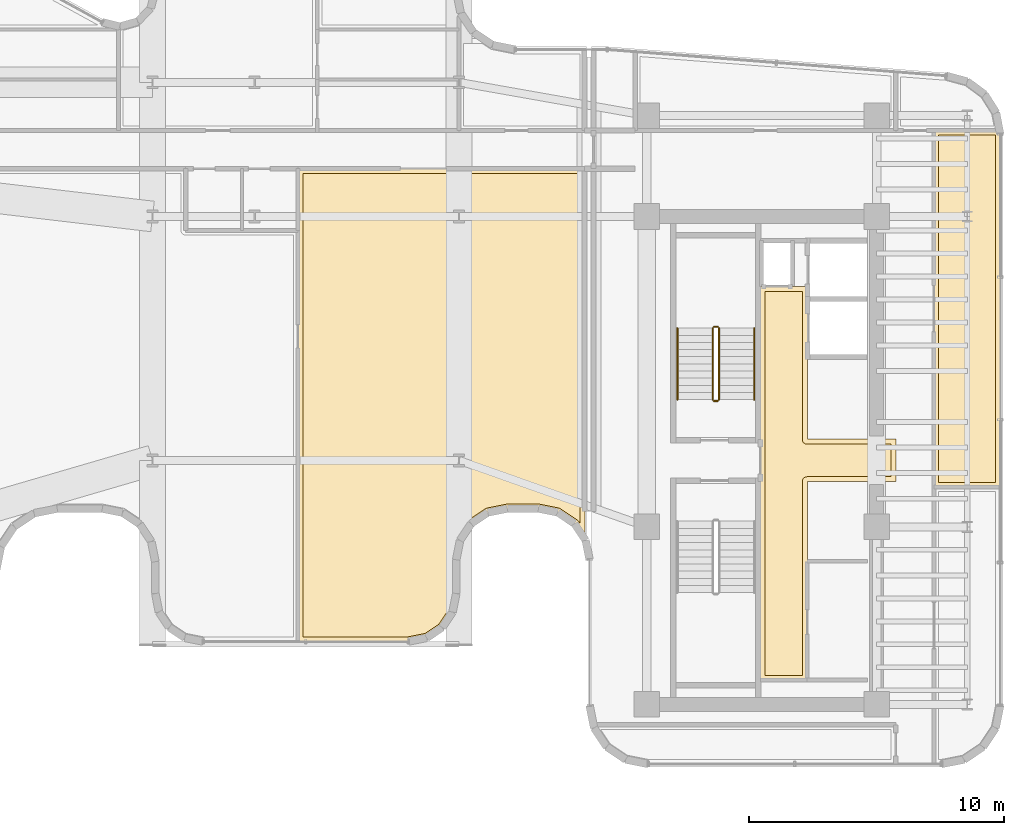
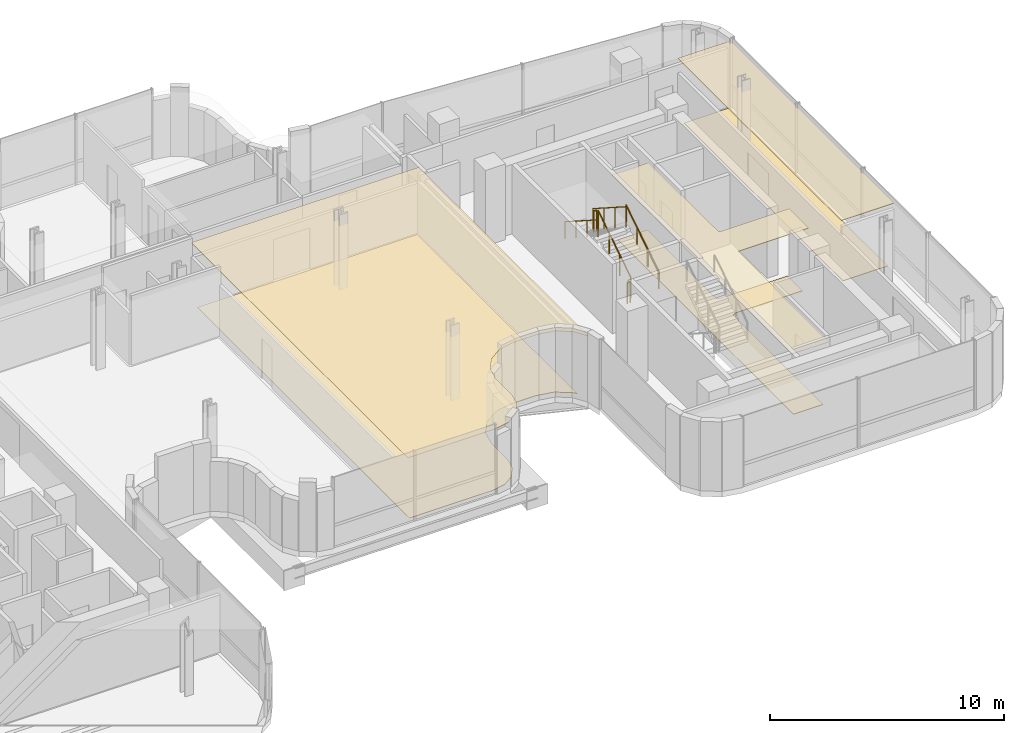
# One storey, part 36 of 38: 6 coverings, 6 railings.
"""IFC4 building model written with IfcOpenShell, lengths in metres."""

from ifc_helpers import new_model, si_unit, direction, frame, origin, origin_2d, place, context, subcontext, project, spatial, polyline, circle, outline, extrude, material, layer, layer_set, type_object, element, save


model = new_model("IFC4")

# Units and contexts
model_context = context("Model", 3, precision=1e-05, world=origin(), true_north=direction((0.0, 1.0)))
body_context = subcontext(model_context, "Body", "Model", "MODEL_VIEW")
ifc_project = project(units=[si_unit("LENGTHUNIT", "METRE"), si_unit("AREAUNIT", "SQUARE_METRE"), si_unit("VOLUMEUNIT", "CUBIC_METRE"), si_unit("PLANEANGLEUNIT", "RADIAN"), si_unit("MASSUNIT", "GRAM", prefix="KILO")], contexts=[model_context])

# Site, building, storey
site_placement = place(None, origin())
site = spatial("IfcSite", under=ifc_project, at=site_placement, CompositionType="ELEMENT")
building_placement = place(site_placement, origin())
building = spatial("IfcBuilding", under=site, at=building_placement, Name="Valdorenza Pilgrim Sanctuary Tower", CompositionType="ELEMENT")
storey_placement = place(building_placement, frame((0.0, 0.0, 180.5)))
storey = spatial("IfcBuildingStorey", under=building, at=storey_placement, Name="L46", CompositionType="ELEMENT", Elevation=180.5)

# Coverings
ifc_material_1 = material(Name="Micro-perforated acoustic mineral ceiling tile", Category="gypsum")
ifc_layer_1 = layer(ifc_material_1, 0.02490234375, Name="Micro-perforated acoustic mineral ceiling tile")
ifc_layer_set_1 = layer_set([ifc_layer_1], Name="Micro-perforated acoustic mineral ceiling tile")
covering_type_1 = type_object("IfcCoveringType", Name="COV-CLG-ACU", PredefinedType="CEILING", material=ifc_layer_set_1)
covering_1_placement = place(storey_placement, frame((0.0, 0.0, 3.330078125)))
element("IfcCovering", 1, at=covering_1_placement, inside=storey, type_object=covering_type_1, Name="L46 Core B Passenger Lift Lobby Acoustic Ceiling", PredefinedType="CEILING", context=body_context, shape_type="SweptSolid", body=[
    extrude(outline(polyline([(20.287109375, -0.814697265625), (20.287109375, 0.814697265625), (20.28662109375, 0.815185546875), (20.2861328125, 0.81640625), (20.28564453125, 0.81787109375), (20.285400390625, 0.819091796875), (20.28515625, 0.820556640625), (20.284912109375, 0.822021484375), (20.284912109375, 6.800048828125), (20.28515625, 6.801513671875), (20.285400390625, 6.802978515625), (20.28564453125, 6.804443359375), (20.2861328125, 6.8056640625), (20.286865234375, 6.80712890625), (20.28759765625, 6.808349609375), (20.288330078125, 6.8095703125), (20.289306640625, 6.810546875), (20.29052734375, 6.8115234375), (20.291748046875, 6.8125), (20.29296875, 6.813232421875), (20.294189453125, 6.81396484375), (20.295654296875, 6.814453125), (20.297119140625, 6.814697265625), (20.298583984375, 6.81494140625), (20.300048828125, 6.81494140625), (20.347900390625, 6.81494140625), (20.349365234375, 6.81494140625), (20.350830078125, 6.814697265625), (20.352294921875, 6.814453125), (20.353515625, 6.81396484375), (20.35498046875, 6.813232421875), (20.35546875, 6.81298828125), (21.544677734375, 6.81298828125), (21.545166015625, 6.813232421875), (21.54638671875, 6.81396484375), (21.5478515625, 6.814453125), (21.54931640625, 6.814697265625), (21.550537109375, 6.81494140625), (21.552001953125, 6.81494140625), (22.1201171875, 6.81494140625), (22.12158203125, 6.81494140625), (22.122802734375, 6.814697265625), (22.12451171875, 6.814453125), (22.125732421875, 6.81396484375), (22.127197265625, 6.813232421875), (22.12841796875, 6.8125), (22.12939453125, 6.8115234375), (22.130615234375, 6.810546875), (22.131591796875, 6.8095703125), (22.132568359375, 6.808349609375), (22.13330078125, 6.80712890625), (22.1337890625, 6.8056640625), (22.134521484375, 6.804443359375), (22.134765625, 6.802978515625), (22.135009765625, 6.801513671875), (22.135009765625, 6.800048828125), (22.135009765625, 0.8349609375), (25.60009765625, 0.8349609375), (25.6015625, 0.8349609375), (25.602783203125, 0.834716796875), (25.6044921875, 0.83447265625), (25.605712890625, 0.833984375), (25.607177734375, 0.833251953125), (25.6083984375, 0.83251953125), (25.609619140625, 0.83154296875), (25.610595703125, 0.83056640625), (25.611572265625, 0.82958984375), (25.612548828125, 0.828369140625), (25.61328125, 0.8271484375), (25.614013671875, 0.82568359375), (25.614501953125, 0.824462890625), (25.61474609375, 0.822998046875), (25.614990234375, 0.821533203125), (25.614990234375, 0.820068359375), (25.614990234375, -0.820068359375), (25.614990234375, -0.821533203125), (25.61474609375, -0.822998046875), (25.614501953125, -0.824462890625), (25.614013671875, -0.82568359375), (25.61328125, -0.8271484375), (25.612548828125, -0.828369140625), (25.611572265625, -0.82958984375), (25.610595703125, -0.83056640625), (25.609619140625, -0.83154296875), (25.6083984375, -0.83251953125), (25.607177734375, -0.833251953125), (25.605712890625, -0.833984375), (25.6044921875, -0.83447265625), (25.602783203125, -0.834716796875), (25.6015625, -0.8349609375), (25.60009765625, -0.8349609375), (22.135009765625, -0.8349609375), (22.135009765625, -8.60009765625), (22.135009765625, -8.6015625), (22.134765625, -8.602783203125), (22.134521484375, -8.6044921875), (22.1337890625, -8.605712890625), (22.13330078125, -8.607177734375), (22.132568359375, -8.6083984375), (22.131591796875, -8.609619140625), (22.130615234375, -8.610595703125), (22.12939453125, -8.611572265625), (22.12841796875, -8.612548828125), (22.127197265625, -8.61328125), (22.125732421875, -8.614013671875), (22.12451171875, -8.614501953125), (22.122802734375, -8.61474609375), (22.12158203125, -8.614990234375), (22.1201171875, -8.614990234375), (20.300048828125, -8.614990234375), (20.298583984375, -8.614990234375), (20.297119140625, -8.61474609375), (20.295654296875, -8.614501953125), (20.294189453125, -8.614013671875), (20.29296875, -8.61328125), (20.291748046875, -8.612548828125), (20.29052734375, -8.611572265625), (20.289306640625, -8.610595703125), (20.288330078125, -8.609619140625), (20.28759765625, -8.6083984375), (20.286865234375, -8.607177734375), (20.2861328125, -8.605712890625), (20.28564453125, -8.6044921875), (20.285400390625, -8.602783203125), (20.28515625, -8.6015625), (20.284912109375, -8.60009765625), (20.284912109375, -0.822021484375), (20.28515625, -0.820556640625), (20.285400390625, -0.819091796875), (20.28564453125, -0.81787109375), (20.2861328125, -0.81640625), (20.28662109375, -0.815185546875), (20.287109375, -0.814697265625)])), origin(), (0.0, 0.0, 1.0), 0.02490234375),
])
covering_2_placement = place(storey_placement, frame((0.0, 0.0, 3.330078125)))
element("IfcCovering", 2, at=covering_2_placement, inside=storey, type_object=covering_type_1, Name="L46 Sacred Archive Reading Library Acoustic Ceiling", PredefinedType="CEILING", context=body_context, shape_type="SweptSolid", body=[
    extrude(outline(polyline([(2.18701171875, 8.996337890625), (2.18701171875, 8.996826171875), (2.186767578125, 8.99853515625), (2.186767578125, 9.0), (2.18701171875, 9.00146484375), (2.18701171875, 9.001708984375), (2.18701171875, 11.419921875), (2.18701171875, 11.42138671875), (2.187255859375, 11.4228515625), (2.1875, 11.42431640625), (2.18798828125, 11.42578125), (2.188720703125, 11.427001953125), (2.189453125, 11.42822265625), (2.1904296875, 11.429443359375), (2.19140625, 11.4306640625), (2.1923828125, 11.431640625), (2.193603515625, 11.4326171875), (2.19482421875, 11.43310546875), (2.1962890625, 11.433837890625), (2.197509765625, 11.434326171875), (2.19921875, 11.434814453125), (2.200439453125, 11.434814453125), (2.201904296875, 11.43505859375), (13.419921875, 11.43505859375), (13.42138671875, 11.434814453125), (13.4228515625, 11.434814453125), (13.42431640625, 11.434326171875), (13.42578125, 11.433837890625), (13.427001953125, 11.43310546875), (13.42822265625, 11.4326171875), (13.429443359375, 11.431640625), (13.4306640625, 11.4306640625), (13.431640625, 11.429443359375), (13.4326171875, 11.42822265625), (13.43310546875, 11.427001953125), (13.433837890625, 11.42578125), (13.434326171875, 11.42431640625), (13.434814453125, 11.4228515625), (13.434814453125, 11.42138671875), (13.43505859375, 11.419921875), (13.43505859375, -3.071533203125), (13.434814453125, -3.072998046875), (13.434814453125, -3.074462890625), (13.434326171875, -3.075927734375), (13.433837890625, -3.077392578125), (13.43310546875, -3.07861328125), (13.4326171875, -3.079833984375), (13.431640625, -3.0810546875), (13.4306640625, -3.082275390625), (13.429443359375, -3.083251953125), (13.42822265625, -3.083984375), (13.427001953125, -3.084716796875), (13.42578125, -3.08544921875), (13.42431640625, -3.0859375), (13.4228515625, -3.086181640625), (13.42138671875, -3.08642578125), (13.419921875, -3.086669921875), (13.41845703125, -3.08642578125), (13.4169921875, -3.086181640625), (13.41552734375, -3.0859375), (13.414306640625, -3.08544921875), (13.412841796875, -3.084716796875), (13.41162109375, -3.083984375), (13.410400390625, -3.083251953125), (13.409423828125, -3.082275390625), (13.408447265625, -3.0810546875), (13.407470703125, -3.079833984375), (13.022705078125, -2.50390625), (13.016845703125, -2.49609375), (13.0107421875, -2.4892578125), (13.00390625, -2.483154296875), (12.99609375, -2.477294921875), (12.380126953125, -2.06591796875), (12.371826171875, -2.060791015625), (12.36328125, -2.056884765625), (12.354736328125, -2.0537109375), (12.34521484375, -2.051513671875), (11.618896484375, -1.906982421875), (11.609375, -1.905517578125), (11.599609375, -1.905029296875), (10.400390625, -1.905029296875), (10.390625, -1.905517578125), (10.381103515625, -1.906982421875), (9.65478515625, -2.051513671875), (9.645263671875, -2.0537109375), (9.63671875, -2.056884765625), (9.628173828125, -2.060791015625), (9.619873046875, -2.06591796875), (9.00390625, -2.477294921875), (8.99609375, -2.483154296875), (8.9892578125, -2.4892578125), (8.983154296875, -2.49609375), (8.977294921875, -2.50390625), (8.56591796875, -3.119873046875), (8.560791015625, -3.128173828125), (8.556884765625, -3.13671875), (8.5537109375, -3.145263671875), (8.551513671875, -3.15478515625), (8.406982421875, -3.881103515625), (8.405517578125, -3.890625), (8.405029296875, -3.900390625), (8.405029296875, -5.213134765625), (8.40478515625, -5.214599609375), (8.40478515625, -5.216064453125), (8.2607421875, -5.940185546875), (8.26025390625, -5.941650390625), (8.259765625, -5.943115234375), (8.25927734375, -5.9443359375), (8.258544921875, -5.945556640625), (7.8544921875, -6.55029296875), (7.853515625, -6.551513671875), (7.8525390625, -6.552490234375), (7.851318359375, -6.553466796875), (7.85009765625, -6.554443359375), (7.24560546875, -6.95849609375), (7.244384765625, -6.959228515625), (7.242919921875, -6.959716796875), (7.24169921875, -6.960205078125), (7.240234375, -6.960693359375), (6.51611328125, -7.104736328125), (6.5146484375, -7.10498046875), (6.51318359375, -7.10498046875), (2.201904296875, -7.10498046875), (2.200439453125, -7.10498046875), (2.19921875, -7.104736328125), (2.197509765625, -7.1044921875), (2.1962890625, -7.10400390625), (2.19482421875, -7.103271484375), (2.193603515625, -7.1025390625), (2.1923828125, -7.1015625), (2.19140625, -7.1005859375), (2.1904296875, -7.099609375), (2.189453125, -7.098388671875), (2.188720703125, -7.09716796875), (2.18798828125, -7.095703125), (2.1875, -7.094482421875), (2.187255859375, -7.093017578125), (2.18701171875, -7.091552734375), (2.18701171875, -7.090087890625), (2.18701171875, 8.996337890625)])), origin(), (0.0, 0.0, 1.0), 0.02490234375),
])
covering_3_placement = place(storey_placement, frame((0.0, 0.0, 3.330078125)))
element("IfcCovering", 3, at=covering_3_placement, inside=storey, type_object=covering_type_1, Name="L46 East Reading Lounge L46-EB2 Acoustic Ceiling", PredefinedType="CEILING", context=body_context, shape_type="SweptSolid", body=[
    extrude(outline(polyline([(27.0849609375, 12.91796875), (27.085205078125, 12.91943359375), (27.085205078125, 12.9208984375), (27.085693359375, 12.92236328125), (27.086181640625, 12.923583984375), (27.0869140625, 12.925048828125), (27.08740234375, 12.92626953125), (27.08837890625, 12.927490234375), (27.08935546875, 12.9287109375), (27.090576171875, 12.9296875), (27.091796875, 12.930419921875), (27.093017578125, 12.93115234375), (27.09423828125, 12.931884765625), (27.095703125, 12.932373046875), (27.09716796875, 12.9326171875), (27.098388671875, 12.932861328125), (27.10009765625, 12.93310546875), (29.660888671875, 12.93310546875), (29.660888671875, 12.93310546875), (29.662353515625, 12.93310546875), (29.663818359375, 12.932861328125), (29.665283203125, 12.9326171875), (29.66650390625, 12.93212890625), (29.66796875, 12.931640625), (29.669189453125, 12.930908203125), (29.67041015625, 12.930419921875), (29.67138671875, 12.929443359375), (29.672607421875, 12.928466796875), (29.673583984375, 12.92724609375), (29.67431640625, 12.926025390625), (29.675048828125, 12.9248046875), (29.67578125, 12.923583984375), (29.676025390625, 12.922119140625), (29.676513671875, 12.9208984375), (29.70458984375, 12.77099609375), (29.704833984375, 12.769775390625), (29.705078125, 12.768310546875), (29.705078125, -1.0380859375), (29.704833984375, -1.03955078125), (29.70458984375, -1.041015625), (29.704345703125, -1.04248046875), (29.703857421875, -1.043701171875), (29.703125, -1.045166015625), (29.702392578125, -1.04638671875), (29.70166015625, -1.047607421875), (29.70068359375, -1.048583984375), (29.699462890625, -1.049560546875), (29.6982421875, -1.050537109375), (29.697021484375, -1.05126953125), (29.69580078125, -1.052001953125), (29.6943359375, -1.052490234375), (29.69287109375, -1.052734375), (29.69140625, -1.052978515625), (29.68994140625, -1.052978515625), (27.10009765625, -1.052978515625), (27.098388671875, -1.052978515625), (27.09716796875, -1.052734375), (27.095703125, -1.052490234375), (27.09423828125, -1.052001953125), (27.093017578125, -1.05126953125), (27.091796875, -1.050537109375), (27.090576171875, -1.049560546875), (27.08935546875, -1.048583984375), (27.08837890625, -1.047607421875), (27.08740234375, -1.04638671875), (27.0869140625, -1.045166015625), (27.086181640625, -1.043701171875), (27.085693359375, -1.04248046875), (27.085205078125, -1.041015625), (27.085205078125, -1.03955078125), (27.0849609375, -1.0380859375), (27.0849609375, 12.91796875)])), origin(), (0.0, 0.0, 1.0), 0.02490234375),
])
ifc_material_2 = material(Name="Honed travertine stone flooring", Category="masonry")
ifc_layer_2 = layer(ifc_material_2, 0.030029296875, Name="Honed travertine stone flooring")
ifc_layer_set_2 = layer_set([ifc_layer_2], Name="Honed travertine stone flooring")
covering_type_2 = type_object("IfcCoveringType", Name="COV-FLR-TRV", PredefinedType="FLOORING", material=ifc_layer_set_2)
covering_4_placement = place(storey_placement, origin())
element("IfcCovering", 4, at=covering_4_placement, inside=storey, type_object=covering_type_2, Name="L46 Core B Passenger Lift Lobby Flooring", PredefinedType="FLOORING", context=body_context, shape_type="SweptSolid", body=[
    extrude(outline(polyline([(20.47998046875, 6.617919921875), (21.550048828125, 6.617919921875), (21.550537109375, 6.617919921875), (21.93994140625, 6.619384765625), (21.93994140625, 0.820068359375), (21.94091796875, 0.802490234375), (21.943603515625, 0.784912109375), (21.94775390625, 0.767578125), (21.95361328125, 0.751220703125), (21.961181640625, 0.735107421875), (21.97021484375, 0.719970703125), (21.98095703125, 0.705810546875), (21.99267578125, 0.692626953125), (22.005859375, 0.680908203125), (22.02001953125, 0.67041015625), (22.03515625, 0.661376953125), (22.051025390625, 0.65380859375), (22.067626953125, 0.647705078125), (22.0849609375, 0.6435546875), (22.102294921875, 0.640869140625), (22.1201171875, 0.639892578125), (25.419921875, 0.639892578125), (25.419921875, -0.639892578125), (22.1201171875, -0.639892578125), (22.102294921875, -0.640869140625), (22.0849609375, -0.6435546875), (22.067626953125, -0.647705078125), (22.051025390625, -0.65380859375), (22.03515625, -0.661376953125), (22.02001953125, -0.67041015625), (22.005859375, -0.680908203125), (21.99267578125, -0.692626953125), (21.98095703125, -0.705810546875), (21.97021484375, -0.719970703125), (21.961181640625, -0.735107421875), (21.95361328125, -0.751220703125), (21.94775390625, -0.767578125), (21.943603515625, -0.784912109375), (21.94091796875, -0.802490234375), (21.93994140625, -0.820068359375), (21.93994140625, -8.419921875), (20.47998046875, -8.419921875), (20.47998046875, -0.846923828125), (20.47998046875, -0.8466796875), (20.47998046875, -0.8466796875), (20.481689453125, -0.8291015625), (20.481689453125, -0.828857421875), (20.48193359375, -0.820068359375), (20.48193359375, 0.820068359375), (20.47998046875, 6.617919921875)])), origin(), (0.0, 0.0, 1.0), 0.02490234375),
])
covering_5_placement = place(storey_placement, origin())
element("IfcCovering", 5, at=covering_5_placement, inside=storey, type_object=covering_type_2, Name="L46 Sacred Archive Reading Library Flooring", PredefinedType="FLOORING", context=body_context, shape_type="SweptSolid", body=[
    extrude(outline(polyline([(2.382080078125, 8.999755859375), (2.382080078125, 9.0), (2.382080078125, 11.239990234375), (13.239990234375, 11.239990234375), (13.239990234375, -2.478271484375), (13.1845703125, -2.3955078125), (13.179443359375, -2.38818359375), (13.173095703125, -2.37939453125), (13.161865234375, -2.36572265625), (13.15478515625, -2.35791015625), (13.14208984375, -2.34521484375), (13.13427734375, -2.338134765625), (13.12060546875, -2.326904296875), (13.11181640625, -2.320556640625), (13.1044921875, -2.3154296875), (12.48828125, -1.903564453125), (12.480712890625, -1.898681640625), (12.471435546875, -1.893310546875), (12.455810546875, -1.885009765625), (12.4462890625, -1.88037109375), (12.4296875, -1.87353515625), (12.419677734375, -1.869873046875), (12.40283203125, -1.86474609375), (12.392333984375, -1.862060546875), (12.3837890625, -1.860107421875), (11.656494140625, -1.715576171875), (11.64794921875, -1.714111328125), (11.63720703125, -1.71240234375), (11.61962890625, -1.710693359375), (11.60888671875, -1.710205078125), (11.60009765625, -1.7099609375), (10.39990234375, -1.7099609375), (10.39111328125, -1.710205078125), (10.38037109375, -1.710693359375), (10.36279296875, -1.71240234375), (10.35205078125, -1.714111328125), (10.343505859375, -1.715576171875), (9.6162109375, -1.860107421875), (9.607666015625, -1.862060546875), (9.59716796875, -1.86474609375), (9.580322265625, -1.869873046875), (9.5703125, -1.87353515625), (9.5537109375, -1.88037109375), (9.544189453125, -1.885009765625), (9.528564453125, -1.893310546875), (9.519287109375, -1.898681640625), (9.51171875, -1.903564453125), (8.8955078125, -2.3154296875), (8.88818359375, -2.320556640625), (8.87939453125, -2.326904296875), (8.86572265625, -2.338134765625), (8.85791015625, -2.34521484375), (8.84521484375, -2.35791015625), (8.838134765625, -2.36572265625), (8.826904296875, -2.37939453125), (8.820556640625, -2.38818359375), (8.8154296875, -2.3955078125), (8.403564453125, -3.01171875), (8.398681640625, -3.019287109375), (8.393310546875, -3.028564453125), (8.385009765625, -3.044189453125), (8.38037109375, -3.0537109375), (8.37353515625, -3.0703125), (8.369873046875, -3.080322265625), (8.36474609375, -3.09716796875), (8.362060546875, -3.107666015625), (8.360107421875, -3.1162109375), (8.215576171875, -3.843505859375), (8.214111328125, -3.85205078125), (8.21240234375, -3.86279296875), (8.210693359375, -3.88037109375), (8.210205078125, -3.89111328125), (8.2099609375, -3.89990234375), (8.2099609375, -5.1953125), (8.076416015625, -5.866943359375), (7.712158203125, -6.412109375), (7.1669921875, -6.7763671875), (6.495361328125, -6.909912109375), (2.382080078125, -6.909912109375), (2.382080078125, 8.998046875), (2.382080078125, 8.9990234375), (2.382080078125, 8.999755859375)])), origin(), (0.0, 0.0, 1.0), 0.02490234375),
])
covering_6_placement = place(storey_placement, origin())
element("IfcCovering", 6, at=covering_6_placement, inside=storey, type_object=covering_type_2, Name="L46 East Reading Lounge L46-EB2 Flooring", PredefinedType="FLOORING", context=body_context, shape_type="SweptSolid", body=[
    extrude(outline(polyline([(27.280029296875, 12.738037109375), (29.510009765625, 12.738037109375), (29.510009765625, -0.85791015625), (27.280029296875, -0.85791015625), (27.280029296875, 12.738037109375)])), origin(), (0.0, 0.0, 1.0), 0.02490234375),
])

# Railings
ifc_material_3 = material(Name="Stainless steel Grade 316", Category="steel")
railing_type_1 = type_object("IfcRailingType", Name="RLG-GRD-1120", PredefinedType="GUARDRAIL", material=ifc_material_3)
railing_1_placement = place(storey_placement, frame((18.679931640625, 2.3798828125, 0.179443359375)))
element("IfcRailing", 7, at=railing_1_placement, inside=storey, type_object=railing_type_1, Name="L46 ST-B1 stair guard 1", PredefinedType="GUARDRAIL", context=body_context, shape_type="SweptSolid", body=[
    extrude(circle(Radius=0.02392578125, at=origin_2d()), frame((0.0, 0.0, 1.076171875), z_axis=(0.0, 0.841776520102, 0.539826166654), x_axis=(-1.0, 0.0, 0.0)), (0.0, 0.0, 1.0), 3.326416015625),
    extrude(circle(Radius=0.02099609375, at=origin_2d()), origin(), (0.0, 0.0, 1.0), 1.052001953125),
    extrude(circle(Radius=0.02099609375, at=origin_2d()), frame((0.0, 0.933349609375, 0.5986328125)), (0.0, 0.0, 1.0), 1.052001953125),
    extrude(circle(Radius=0.02099609375, at=origin_2d()), frame((0.0, 1.86669921875, 1.197021484375)), (0.0, 0.0, 1.0), 1.052001953125),
    extrude(circle(Radius=0.02099609375, at=origin_2d()), frame((0.0, 2.800048828125, 1.795654296875)), (0.0, 0.0, 1.0), 1.052001953125),
])
railing_2_placement = place(storey_placement, frame((18.6298828125, 5.22998046875, 1.97509765625)))
element("IfcRailing", 8, at=railing_2_placement, inside=storey, type_object=railing_type_1, Name="L46 ST-B1 stair guard 2", PredefinedType="GUARDRAIL", context=body_context, shape_type="SweptSolid", body=[
    extrude(circle(Radius=0.02392578125, at=origin_2d()), frame((0.0, 0.0, 1.076171875), z_axis=(-1.0, 0.0, 0.0), x_axis=(0.0, -1.0, 0.0)), (0.0, 0.0, 1.0), 0.14990234375),
    extrude(circle(Radius=0.02099609375, at=origin_2d()), origin(), (0.0, 0.0, 1.0), 1.052001953125),
    extrude(circle(Radius=0.02099609375, at=origin_2d()), frame((-0.14990234375, 0.0, 0.0)), (0.0, 0.0, 1.0), 1.052001953125),
])
railing_3_placement = place(storey_placement, frame((18.429931640625, 5.179931640625, 2.154541015625)))
element("IfcRailing", 9, at=railing_3_placement, inside=storey, type_object=railing_type_1, Name="L46 ST-B1 stair guard 3", PredefinedType="GUARDRAIL", context=body_context, shape_type="SweptSolid", body=[
    extrude(circle(Radius=0.02392578125, at=origin_2d()), frame((0.0, 0.0, 1.076171875), z_axis=(0.0, -0.841809871826, 0.539774156196), x_axis=(1.0, 0.0, 0.0)), (0.0, 0.0, 1.0), 3.326171875),
    extrude(circle(Radius=0.02099609375, at=origin_2d()), origin(), (0.0, 0.0, 1.0), 1.052001953125),
    extrude(circle(Radius=0.02099609375, at=origin_2d()), frame((0.0, -0.933349609375, 0.598388671875)), (0.0, 0.0, 1.0), 1.052001953125),
    extrude(circle(Radius=0.02099609375, at=origin_2d()), frame((0.0, -1.86669921875, 1.197021484375)), (0.0, 0.0, 1.0), 1.052001953125),
    extrude(circle(Radius=0.02099609375, at=origin_2d()), frame((0.0, -2.800048828125, 1.79541015625)), (0.0, 0.0, 1.0), 1.052001953125),
])
railing_4_placement = place(storey_placement, frame((18.6298828125, 2.330078125, 0.0)))
element("IfcRailing", 10, at=railing_4_placement, inside=storey, type_object=railing_type_1, Name="L46 ST-B1 stair guard 4", PredefinedType="GUARDRAIL", context=body_context, shape_type="SweptSolid", body=[
    extrude(circle(Radius=0.02392578125, at=origin_2d()), frame((0.0, 0.0, 1.076171875), z_axis=(-1.0, 0.0, 0.0), x_axis=(0.0, -1.0, 0.0)), (0.0, 0.0, 1.0), 0.14990234375),
    extrude(circle(Radius=0.02099609375, at=origin_2d()), origin(), (0.0, 0.0, 1.0), 1.052001953125),
    extrude(circle(Radius=0.02099609375, at=origin_2d()), frame((-0.14990234375, 0.0, 0.0)), (0.0, 0.0, 1.0), 1.052001953125),
])
ifc_material_4 = material(Name="Brushed stainless steel Grade 316", Category="steel")
railing_type_2 = type_object("IfcRailingType", Name="RLG-HND-920", PredefinedType="HANDRAIL", material=ifc_material_4)
railing_5_placement = place(storey_placement, frame((20.06005859375, 2.3798828125, 0.179443359375)))
element("IfcRailing", 11, at=railing_5_placement, inside=storey, type_object=railing_type_2, Name="L46 ST-B1 stair handrail 1", PredefinedType="HANDRAIL", context=body_context, shape_type="SweptSolid", body=[
    extrude(circle(Radius=0.02392578125, at=origin_2d()), frame((0.0, 0.0, 0.8759765625), z_axis=(0.0, 0.841776520102, 0.539826166654), x_axis=(-1.0, 0.0, 0.0)), (0.0, 0.0, 1.0), 3.326416015625),
    extrude(circle(Radius=0.02099609375, at=origin_2d()), origin(), (0.0, 0.0, 1.0), 0.851806640625),
    extrude(circle(Radius=0.02099609375, at=origin_2d()), frame((0.0, 0.933349609375, 0.5986328125)), (0.0, 0.0, 1.0), 0.851806640625),
    extrude(circle(Radius=0.02099609375, at=origin_2d()), frame((0.0, 1.86669921875, 1.197021484375)), (0.0, 0.0, 1.0), 0.851806640625),
    extrude(circle(Radius=0.02099609375, at=origin_2d()), frame((0.0, 2.800048828125, 1.795654296875)), (0.0, 0.0, 1.0), 0.851806640625),
])
railing_6_placement = place(storey_placement, frame((17.050048828125, 5.179931640625, 2.154541015625)))
element("IfcRailing", 12, at=railing_6_placement, inside=storey, type_object=railing_type_2, Name="L46 ST-B1 stair handrail 2", PredefinedType="HANDRAIL", context=body_context, shape_type="SweptSolid", body=[
    extrude(circle(Radius=0.02392578125, at=origin_2d()), frame((0.0, 0.0, 0.8759765625), z_axis=(0.0, -0.841809871826, 0.539774156196), x_axis=(1.0, 0.0, 0.0)), (0.0, 0.0, 1.0), 3.326171875),
    extrude(circle(Radius=0.02099609375, at=origin_2d()), origin(), (0.0, 0.0, 1.0), 0.851806640625),
    extrude(circle(Radius=0.02099609375, at=origin_2d()), frame((0.0, -0.933349609375, 0.598388671875)), (0.0, 0.0, 1.0), 0.851806640625),
    extrude(circle(Radius=0.02099609375, at=origin_2d()), frame((0.0, -1.86669921875, 1.197021484375)), (0.0, 0.0, 1.0), 0.851806640625),
    extrude(circle(Radius=0.02099609375, at=origin_2d()), frame((0.0, -2.800048828125, 1.79541015625)), (0.0, 0.0, 1.0), 0.851806640625),
])

save(model, "model.ifc")
